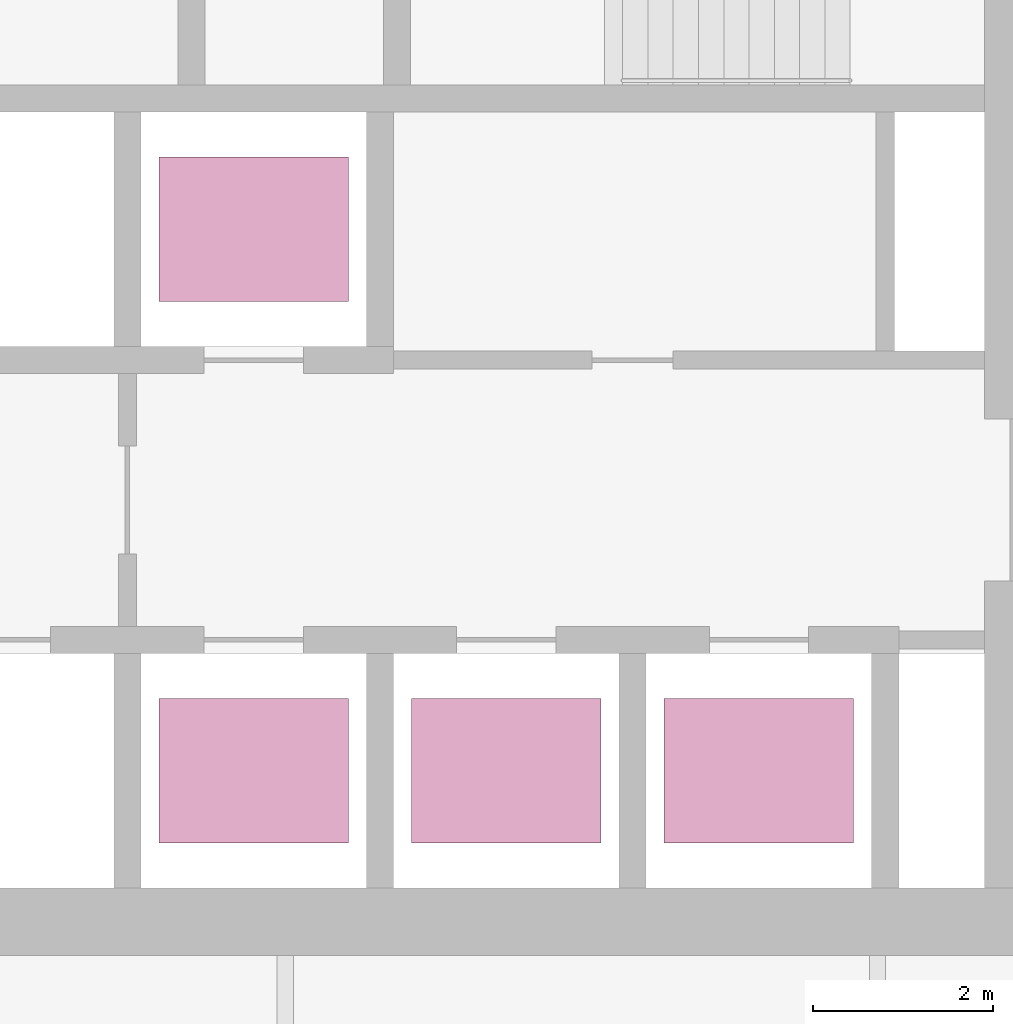
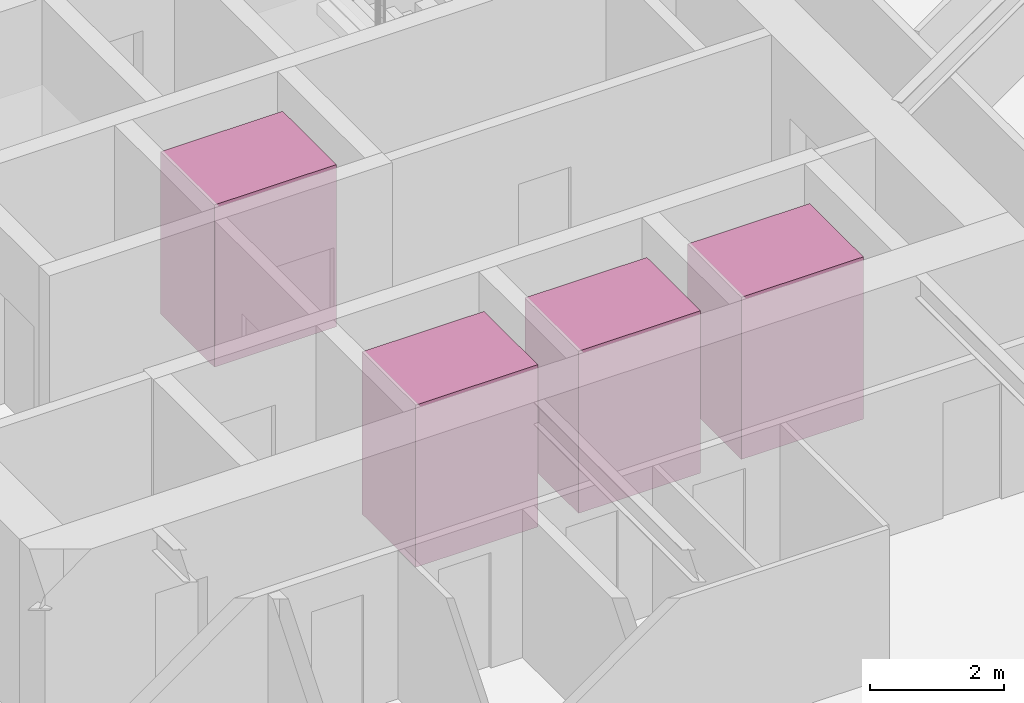
# One storey, part 20 of 20: 4 transport elements.
"""IFC4 building model written with IfcOpenShell, lengths in metres."""

from ifc_helpers import new_model, si_unit, direction, frame, origin, origin_2d, place, context, subcontext, project, spatial, rectangle, extrude, material, type_object, element, save


model = new_model("IFC4")

# Units and contexts
model_context = context("Model", 3, precision=1e-05, world=origin(), true_north=direction((0.0, 1.0)))
body_context = subcontext(model_context, "Body", "Model", "MODEL_VIEW")
ifc_project = project(units=[si_unit("LENGTHUNIT", "METRE"), si_unit("AREAUNIT", "SQUARE_METRE"), si_unit("VOLUMEUNIT", "CUBIC_METRE"), si_unit("PLANEANGLEUNIT", "RADIAN"), si_unit("MASSUNIT", "GRAM", prefix="KILO")], contexts=[model_context])

# Site, building, storey
site_placement = place(None, origin())
site = spatial("IfcSite", under=ifc_project, at=site_placement, CompositionType="ELEMENT")
building_placement = place(site_placement, origin())
building = spatial("IfcBuilding", under=site, at=building_placement, Name="Firuza Gate Tower and Library", CompositionType="ELEMENT")
storey_placement = place(building_placement, frame((0.0, 0.0, 277.60009765625)))
storey = spatial("IfcBuildingStorey", under=building, at=storey_placement, Name="L66", CompositionType="ELEMENT", Elevation=277.60009765625)

# Transport elements
ifc_material = material(Name="Stainless steel and glass", Category="steel")
transport_element_type = type_object("IfcTransportElementType", Name="High-rise lift car 2100x1600", PredefinedType="ELEVATOR", material=ifc_material)
for number, where, z_axis, x_axis, name in (
    (1, (74.64990234375, 70.300048828125, 0.0), (0.0, 0.0, 1.0), (1.0, 0.0, 0.0), "High-rise lift HR1"),
    (2, (77.449951171875, 70.300048828125, 0.0), (0.0, 0.0, 1.0), (1.0, 0.0, 0.0), "High-rise lift HR2"),
    (3, (80.25, 70.300048828125, 0.0), (0.0, 0.0, 1.0), (1.0, 0.0, 0.0), "High-rise lift HR3"),
    (4, (74.64990234375, 76.300048828125, 0.0), (0.0, 0.0, 1.0), (1.0, 0.0, 0.0), "High-rise lift HR4"),
):
    element("IfcTransportElement", number, at=place(storey_placement, frame(where, z_axis=z_axis, x_axis=x_axis)), inside=storey, type_object=transport_element_type, Name=name, PredefinedType="ELEVATOR", context=body_context, shape_type="SweptSolid", body=[
        extrude(rectangle(XDim=2.10009765625, YDim=1.60009765625, at=origin_2d()), origin(), (0.0, 0.0, 1.0), 2.949951171875),
    ])

save(model, "model.ifc")
